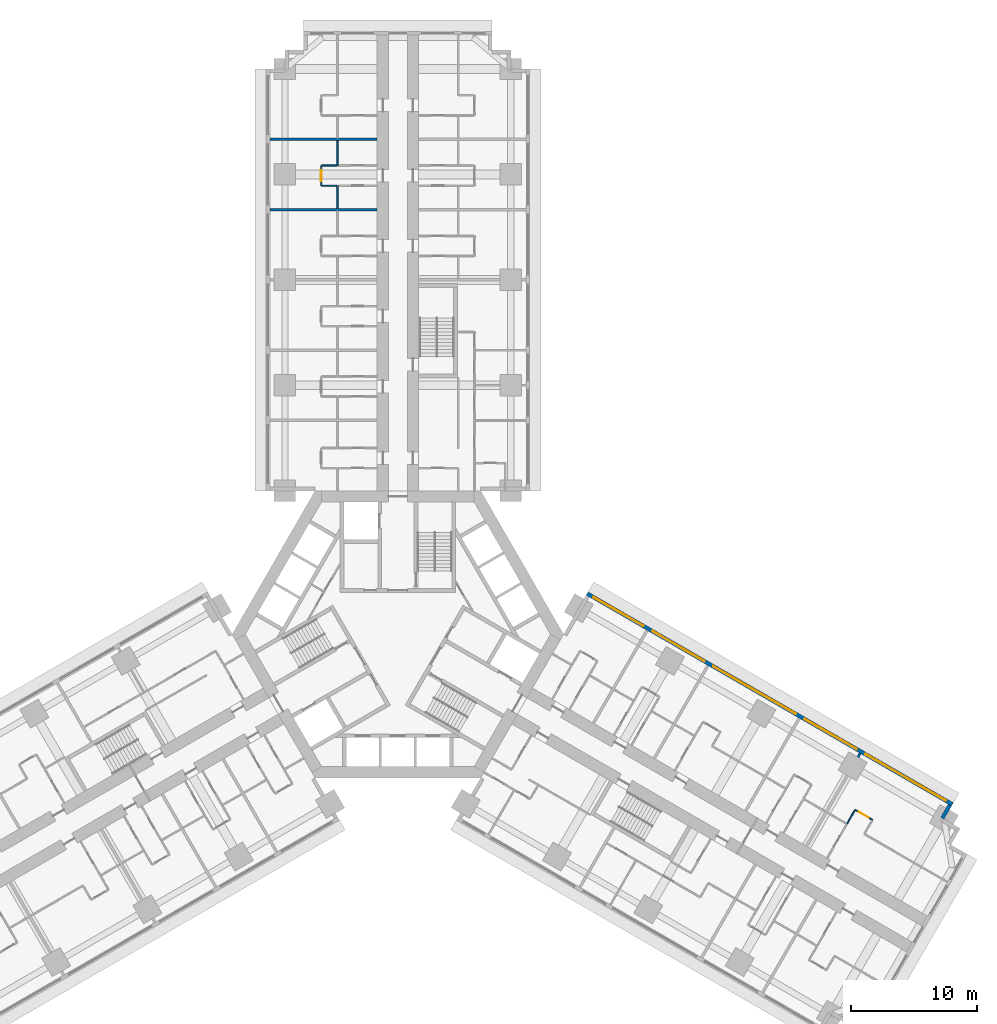
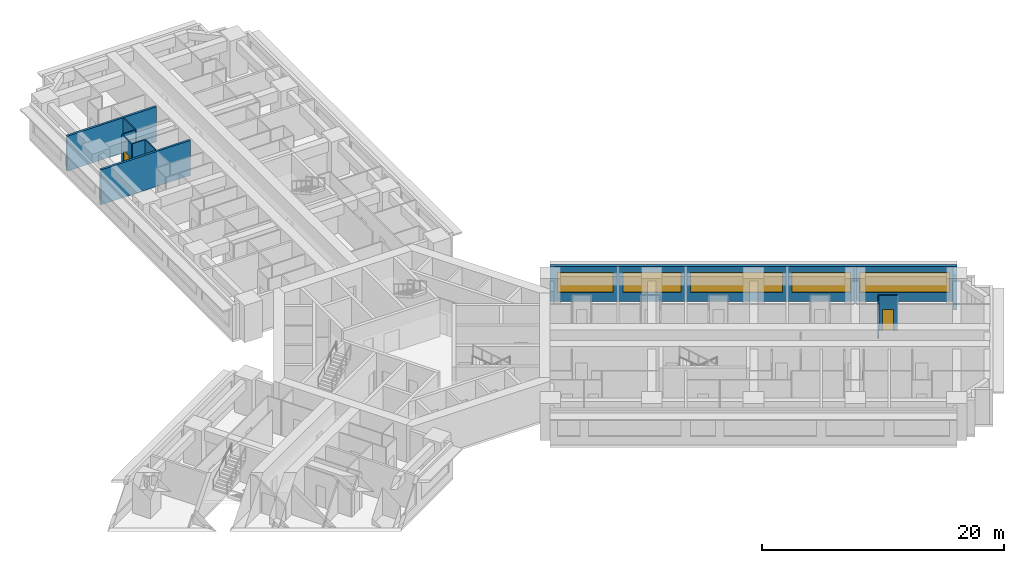
# One storey, part 14 of 17: 12 walls, 5 windows, 2 doors, 7 openings.
"""IFC4 building model written with IfcOpenShell, lengths in metres."""

from ifc_helpers import new_model, si_unit, direction, frame, frame_2d, origin, place, context, subcontext, project, spatial, rectangle, extrude, material, layer, layer_set, type_object, element, fill, save


model = new_model("IFC4")

# Units and contexts
model_context = context("Model", 3, precision=1e-05, world=origin(), true_north=direction((0.0, 1.0)))
body_context = subcontext(model_context, "Body", "Model", "MODEL_VIEW")
ifc_project = project(units=[si_unit("LENGTHUNIT", "METRE"), si_unit("AREAUNIT", "SQUARE_METRE"), si_unit("VOLUMEUNIT", "CUBIC_METRE"), si_unit("PLANEANGLEUNIT", "RADIAN"), si_unit("MASSUNIT", "GRAM", prefix="KILO")], contexts=[model_context])

# Site, building, storey
site_placement = place(None, origin())
site = spatial("IfcSite", under=ifc_project, at=site_placement, CompositionType="ELEMENT")
building_placement = place(site_placement, origin())
building = spatial("IfcBuilding", under=site, at=building_placement, Name="Impinga Residences", CompositionType="ELEMENT")
storey_placement = place(building_placement, frame((0.0, 0.0, 29.75)))
storey = spatial("IfcBuildingStorey", under=building, at=storey_placement, Name="L06", CompositionType="ELEMENT", Elevation=29.75)

# Wall, openings, windows
ifc_material_1 = material(Name="Terracotta rainscreen on blockwork", Category="masonry")
ifc_layer_1 = layer(ifc_material_1, 0.300048828125)
ifc_layer_set_1 = layer_set([ifc_layer_1], Name="EW1 external wall, terracotta rainscreen on blockwork 300")
wall_type_1 = type_object("IfcWallType", Name="EW1 external wall, terracotta rainscreen on blockwork 300", PredefinedType="SOLIDWALL", material=ifc_layer_set_1)
wall_1_placement = place(storey_placement, frame((15.074951171875, 3.24755859375, 0.0), z_axis=(0.0, 0.0, 1.0), x_axis=(0.866024291668, -0.500001926238, 0.0)))
wall_1 = element("IfcWall", 1, at=wall_1_placement, inside=storey, type_object=wall_type_1, Name="External wall EW1 L06", PredefinedType="SOLIDWALL", context=body_context, shape_type="SweptSolid", body=[
    extrude(rectangle(XDim=33.599853515625, YDim=0.300048828125, at=frame_2d((16.7998046875, 0.0))), origin(), (0.0, 0.0, 1.0), 3.530029296875),
])
opening_1_placement = place(wall_1_placement, frame((0.60009765625, 0.0, 0.89990234375)))
opening_1 = element("IfcOpeningElement", 2, at=opening_1_placement, cuts=wall_1, Name="Opening W3", PredefinedType="OPENING", context=body_context, shape_type="SweptSolid", body=[
    extrude(rectangle(XDim=4.60009765625, YDim=2.050048828125, at=frame_2d((2.300048828125, 1.02490234375))), frame((0.0, 0.159912109375, 0.0), z_axis=(0.0, -1.0, 0.0), x_axis=(1.0, 0.0, 0.0)), (0.0, 0.0, 1.0), 0.320068359375),
])
opening_2_placement = place(wall_1_placement, frame((6.0, 0.0, 0.89990234375)))
opening_2 = element("IfcOpeningElement", 3, at=opening_2_placement, cuts=wall_1, Name="Opening W8", PredefinedType="OPENING", context=body_context, shape_type="SweptSolid", body=[
    extrude(rectangle(XDim=4.800048828125, YDim=2.050048828125, at=frame_2d((2.39990234375, 1.02490234375))), frame((0.0, 0.159912109375, 0.0), z_axis=(0.0, -1.0, 0.0), x_axis=(1.0, 0.0, 0.0)), (0.0, 0.0, 1.0), 0.320068359375),
])
opening_3_placement = place(wall_1_placement, frame((11.60009765625, 0.0, 0.89990234375)))
opening_3 = element("IfcOpeningElement", 4, at=opening_3_placement, cuts=wall_1, Name="Opening W5", PredefinedType="OPENING", context=body_context, shape_type="SweptSolid", body=[
    extrude(rectangle(XDim=7.60009765625, YDim=2.050048828125, at=frame_2d((3.800048828125, 1.02490234375))), frame((0.0, 0.159912109375, 0.0), z_axis=(0.0, -1.0, 0.0), x_axis=(1.0, 0.0, 0.0)), (0.0, 0.0, 1.0), 0.320068359375),
])
opening_4_placement = place(wall_1_placement, frame((20.0, 0.0, 0.89990234375)))
opening_4 = element("IfcOpeningElement", 5, at=opening_4_placement, cuts=wall_1, Name="Opening W8", PredefinedType="OPENING", context=body_context, shape_type="SweptSolid", body=[
    extrude(rectangle(XDim=4.800048828125, YDim=2.050048828125, at=frame_2d((2.39990234375, 1.02490234375))), frame((0.0, 0.159912109375, 0.0), z_axis=(0.0, -1.0, 0.0), x_axis=(1.0, 0.0, 0.0)), (0.0, 0.0, 1.0), 0.320068359375),
])
opening_5_placement = place(wall_1_placement, frame((25.60009765625, 0.0, 0.89990234375)))
opening_5 = element("IfcOpeningElement", 6, at=opening_5_placement, cuts=wall_1, Name="Opening W12", PredefinedType="OPENING", context=body_context, shape_type="SweptSolid", body=[
    extrude(rectangle(XDim=7.39990234375, YDim=2.050048828125, at=frame_2d((3.699951171875, 1.02490234375))), frame((0.0, 0.159912109375, 0.0), z_axis=(0.0, -1.0, 0.0), x_axis=(1.0, 0.0, 0.0)), (0.0, 0.0, 1.0), 0.320068359375),
])
ifc_material_2 = material(Name="Aluminium window, clear double glazing", Category="aluminium")
window_type_1 = type_object("IfcWindowType", Name="W12 ribbon window 7400x2050", PartitioningType="SINGLE_PANEL", PredefinedType="WINDOW", material=ifc_material_2)
window_1_placement = place(opening_5_placement, origin())
window_1 = element("IfcWindow", 7, at=window_1_placement, inside=storey, type_object=window_type_1, Name="Window L06", OverallHeight=2.050048828125, OverallWidth=7.39990234375, PartitioningType="SINGLE_PANEL", PredefinedType="WINDOW", context=body_context, shape_type="SweptSolid", body=[
    extrude(rectangle(XDim=7.39990234375, YDim=2.050048828125, at=frame_2d((3.699951171875, 1.02490234375))), frame((0.0, 0.030029296875, 0.0), z_axis=(0.0, -1.0, 0.0), x_axis=(1.0, 0.0, 0.0)), (0.0, 0.0, 1.0), 0.06005859375),
])
fill(opening_5, window_1)
window_type_2 = type_object("IfcWindowType", Name="W3 ribbon window 4600x2050", PartitioningType="SINGLE_PANEL", PredefinedType="WINDOW", material=ifc_material_2)
window_2_placement = place(opening_1_placement, origin())
window_2 = element("IfcWindow", 8, at=window_2_placement, inside=storey, type_object=window_type_2, Name="Window L06", OverallHeight=2.050048828125, OverallWidth=4.60009765625, PartitioningType="SINGLE_PANEL", PredefinedType="WINDOW", context=body_context, shape_type="SweptSolid", body=[
    extrude(rectangle(XDim=4.60009765625, YDim=2.050048828125, at=frame_2d((2.300048828125, 1.02490234375))), frame((0.0, 0.030029296875, 0.0), z_axis=(0.0, -1.0, 0.0), x_axis=(1.0, 0.0, 0.0)), (0.0, 0.0, 1.0), 0.06005859375),
])
fill(opening_1, window_2)
window_type_3 = type_object("IfcWindowType", Name="W5 ribbon window 7600x2050", PartitioningType="SINGLE_PANEL", PredefinedType="WINDOW", material=ifc_material_2)
window_3_placement = place(opening_3_placement, origin())
window_3 = element("IfcWindow", 9, at=window_3_placement, inside=storey, type_object=window_type_3, Name="Window L06", OverallHeight=2.050048828125, OverallWidth=7.60009765625, PartitioningType="SINGLE_PANEL", PredefinedType="WINDOW", context=body_context, shape_type="SweptSolid", body=[
    extrude(rectangle(XDim=7.60009765625, YDim=2.050048828125, at=frame_2d((3.800048828125, 1.02490234375))), frame((0.0, 0.030029296875, 0.0), z_axis=(0.0, -1.0, 0.0), x_axis=(1.0, 0.0, 0.0)), (0.0, 0.0, 1.0), 0.06005859375),
])
fill(opening_3, window_3)
window_type_4 = type_object("IfcWindowType", Name="W8 ribbon window 4800x2050", PartitioningType="SINGLE_PANEL", PredefinedType="WINDOW", material=ifc_material_2)
window_4_placement = place(opening_2_placement, origin())
window_4 = element("IfcWindow", 10, at=window_4_placement, inside=storey, type_object=window_type_4, Name="Window L06", OverallHeight=2.050048828125, OverallWidth=4.800048828125, PartitioningType="SINGLE_PANEL", PredefinedType="WINDOW", context=body_context, shape_type="SweptSolid", body=[
    extrude(rectangle(XDim=4.800048828125, YDim=2.050048828125, at=frame_2d((2.39990234375, 1.02490234375))), frame((0.0, 0.030029296875, 0.0), z_axis=(0.0, -1.0, 0.0), x_axis=(1.0, 0.0, 0.0)), (0.0, 0.0, 1.0), 0.06005859375),
])
fill(opening_2, window_4)
window_5_placement = place(opening_4_placement, origin())
window_5 = element("IfcWindow", 11, at=window_5_placement, inside=storey, type_object=window_type_4, Name="Window L06", OverallHeight=2.050048828125, OverallWidth=4.800048828125, PartitioningType="SINGLE_PANEL", PredefinedType="WINDOW", context=body_context, shape_type="SweptSolid", body=[
    extrude(rectangle(XDim=4.800048828125, YDim=2.050048828125, at=frame_2d((2.39990234375, 1.02490234375))), frame((0.0, 0.030029296875, 0.0), z_axis=(0.0, -1.0, 0.0), x_axis=(1.0, 0.0, 0.0)), (0.0, 0.0, 1.0), 0.06005859375),
])
fill(opening_4, window_5)

# Walls
wall_2_placement = place(storey_placement, frame((43.968505859375, -13.607421875, 0.0), z_axis=(0.0, 0.0, 1.0), x_axis=(-0.500029051137, -0.866008630453, 0.0)))
element("IfcWall", 12, at=wall_2_placement, inside=storey, type_object=wall_type_1, Name="External wall EW1 L06", PredefinedType="SOLIDWALL", context=body_context, shape_type="SweptSolid", body=[
    extrude(rectangle(XDim=1.19482421875, YDim=0.300048828125, at=frame_2d((0.597412109375, 0.0))), origin(), (0.0, 0.0, 1.0), 3.530029296875),
])
ifc_material_3 = material(Name="Gypsum board on steel studs", Category="steel")
ifc_layer_2 = layer(ifc_material_3, 0.10009765625)
ifc_layer_set_2 = layer_set([ifc_layer_2], Name="Gypsum board on steel studs")
wall_type_2 = type_object("IfcWallType", Name="IP1 partition 100", PredefinedType="PARTITIONING", material=ifc_layer_set_2)
wall_3_placement = place(storey_placement, frame((-4.800048828125, 33.931640625, 0.0), z_axis=(0.0, 0.0, 1.0), x_axis=(0.0, 1.0, 0.0)))
element("IfcWall", 13, at=wall_3_placement, inside=storey, type_object=wall_type_2, Name="Partition L06-NA5:DIV0", PredefinedType="PARTITIONING", context=body_context, shape_type="SweptSolid", body=[
    extrude(rectangle(XDim=1.7998046875, YDim=0.10009765625, at=frame_2d((0.89990234375, 0.0))), origin(), (0.0, 0.0, 1.0), 3.530029296875),
])
wall_4_placement = place(storey_placement, frame((-4.800048828125, 37.33154296875, 0.0), z_axis=(0.0, 0.0, 1.0), x_axis=(0.0, 1.0, 0.0)))
element("IfcWall", 14, at=wall_4_placement, inside=storey, type_object=wall_type_2, Name="Partition L06-NA5:DIV1", PredefinedType="PARTITIONING", context=body_context, shape_type="SweptSolid", body=[
    extrude(rectangle(XDim=2.0, YDim=0.10009765625, at=frame_2d((1.0, 0.0))), origin(), (0.0, 0.0, 1.0), 3.530029296875),
])

# Wall, opening, door
wall_5_placement = place(storey_placement, frame((-6.10009765625, 35.7314453125, 0.0), z_axis=(0.0, 0.0, 1.0), x_axis=(0.0, 1.0, 0.0)))
wall_5 = element("IfcWall", 15, at=wall_5_placement, inside=storey, type_object=wall_type_2, Name="Partition L06-NA5:STRIP", PredefinedType="PARTITIONING", context=body_context, shape_type="SweptSolid", body=[
    extrude(rectangle(XDim=1.60009765625, YDim=0.10009765625, at=frame_2d((0.800048828125, 0.0))), origin(), (0.0, 0.0, 1.0), 3.530029296875),
])
opening_6_placement = place(wall_5_placement, frame((0.35009765625, 0.0, 0.0)))
opening_6 = element("IfcOpeningElement", 16, at=opening_6_placement, cuts=wall_5, Name="Opening D2", PredefinedType="OPENING", context=body_context, shape_type="SweptSolid", body=[
    extrude(rectangle(XDim=0.89990234375, YDim=2.10009765625, at=frame_2d((0.449951171875, 1.050048828125))), frame((0.0, 0.06005859375, 0.0), z_axis=(0.0, -1.0, 0.0), x_axis=(1.0, 0.0, 0.0)), (0.0, 0.0, 1.0), 0.1201171875),
])
ifc_material_4 = material(Name="Timber door set", Category="wood")
door_type = type_object("IfcDoorType", Name="D2 internal door 900x2100", OperationType="SINGLE_SWING_LEFT", PredefinedType="DOOR", material=ifc_material_4)
door_1_placement = place(opening_6_placement, origin())
door_1 = element("IfcDoor", 17, at=door_1_placement, inside=storey, type_object=door_type, Name="Apartment L06-NA5 room door", OperationType="SINGLE_SWING_LEFT", OverallHeight=2.10009765625, OverallWidth=0.89990234375, PredefinedType="DOOR", context=body_context, shape_type="SweptSolid", body=[
    extrude(rectangle(XDim=0.89990234375, YDim=2.10009765625, at=frame_2d((0.449951171875, 1.050048828125))), frame((0.0, 0.02490234375, 0.0), z_axis=(0.0, -1.0, 0.0), x_axis=(1.0, 0.0, 0.0)), (0.0, 0.0, 1.0), 0.050048828125),
])
fill(opening_6, door_1)

# Walls
for number, where, z_axis, x_axis, name in (
    (18, (-4.85009765625, 35.7314453125, 0.0), (0.0, 0.0, 1.0), (-1.0, 0.0, 0.0), "Partition L06-NA5:SE0"),
    (19, (-4.85009765625, 37.33154296875, 0.0), (0.0, 0.0, 1.0), (-1.0, 0.0, 0.0), "Partition L06-NA5:SE1"),
):
    element("IfcWall", number, at=place(storey_placement, frame(where, z_axis=z_axis, x_axis=x_axis)), inside=storey, type_object=wall_type_2, Name=name, PredefinedType="PARTITIONING", context=body_context, shape_type="SweptSolid", body=[
        extrude(rectangle(XDim=1.199951171875, YDim=0.10009765625, at=frame_2d((0.60009765625, 0.0))), origin(), (0.0, 0.0, 1.0), 3.530029296875),
    ])

# Wall, opening, door
wall_6_placement = place(storey_placement, frame((36.419189453125, -13.98291015625, 0.0), z_axis=(0.0, 0.0, 1.0), x_axis=(0.866028054938, -0.499995408039, 0.0)))
wall_6 = element("IfcWall", 20, at=wall_6_placement, inside=storey, type_object=wall_type_2, Name="Partition L06-EA5:STRIP", PredefinedType="PARTITIONING", context=body_context, shape_type="SweptSolid", body=[
    extrude(rectangle(XDim=1.60009765625, YDim=0.10009765625, at=frame_2d((0.800048828125, 0.0))), origin(), (0.0, 0.0, 1.0), 3.530029296875),
])
opening_7_placement = place(wall_6_placement, frame((0.35009765625, 0.0, 0.0)))
opening_7 = element("IfcOpeningElement", 21, at=opening_7_placement, cuts=wall_6, Name="Opening D2", PredefinedType="OPENING", context=body_context, shape_type="SweptSolid", body=[
    extrude(rectangle(XDim=0.89990234375, YDim=2.10009765625, at=frame_2d((0.449951171875, 1.050048828125))), frame((0.0, 0.06005859375, 0.0), z_axis=(0.0, -1.0, 0.0), x_axis=(1.0, 0.0, 0.0)), (0.0, 0.0, 1.0), 0.1201171875),
])
door_2_placement = place(opening_7_placement, origin())
door_2 = element("IfcDoor", 22, at=door_2_placement, inside=storey, type_object=door_type, Name="Apartment L06-EA5 room door", OperationType="SINGLE_SWING_LEFT", OverallHeight=2.10009765625, OverallWidth=0.89990234375, PredefinedType="DOOR", context=body_context, shape_type="SweptSolid", body=[
    extrude(rectangle(XDim=0.89990234375, YDim=2.10009765625, at=frame_2d((0.449951171875, 1.050048828125))), frame((0.0, 0.02490234375, 0.0), z_axis=(0.0, -1.0, 0.0), x_axis=(1.0, 0.0, 0.0)), (0.0, 0.0, 1.0), 0.050048828125),
])
fill(opening_7, door_2)

# Walls
wall_7_placement = place(storey_placement, frame((35.794189453125, -15.0654296875, 0.0), z_axis=(0.0, 0.0, 1.0), x_axis=(0.50012165622, 0.865955154139, 0.0)))
element("IfcWall", 23, at=wall_7_placement, inside=storey, type_object=wall_type_2, Name="Partition L06-EA5:SE0", PredefinedType="PARTITIONING", context=body_context, shape_type="SweptSolid", body=[
    extrude(rectangle(XDim=1.199951171875, YDim=0.10009765625, at=frame_2d((0.60009765625, 0.0))), origin(), (0.0, 0.0, 1.0), 3.530029296875),
])
ifc_material_5 = material(Name="Concrete blockwork", Category="masonry")
ifc_layer_3 = layer(ifc_material_5, 0.199951171875)
ifc_layer_set_3 = layer_set([ifc_layer_3], Name="PW1 party wall between apartments 200")
wall_type_3 = type_object("IfcWallType", Name="PW1 party wall between apartments 200", PredefinedType="SOLIDWALL", material=ifc_layer_set_3)
for number, where, z_axis, x_axis, name in (
    (24, (-1.64990234375, 33.83154296875, 0.0), (0.0, 0.0, 1.0), (-1.0, 0.0, 0.0), "Party wall between apartments L06-NA4:PARTY"),
    (25, (-1.64990234375, 39.431640625, 0.0), (0.0, 0.0, 1.0), (-1.0, 0.0, 0.0), "Party wall between apartments L06-NA5:PARTY"),
):
    element("IfcWall", number, at=place(storey_placement, frame(where, z_axis=z_axis, x_axis=x_axis)), inside=storey, type_object=wall_type_3, Name=name, PredefinedType="SOLIDWALL", context=body_context, shape_type="SweptSolid", body=[
        extrude(rectangle(XDim=8.550048828125, YDim=0.199951171875, at=frame_2d((4.27490234375, 0.0))), origin(), (0.0, 0.0, 1.0), 3.530029296875),
    ])
wall_8_placement = place(storey_placement, frame((36.64892578125, -9.785400390625, 0.0), z_axis=(0.0, 0.0, 1.0), x_axis=(0.499742594395, 0.866173965983, 0.0)))
element("IfcWall", 26, at=wall_8_placement, inside=storey, type_object=wall_type_3, Name="Party wall between apartments L06-EA4:PARTYb", PredefinedType="SOLIDWALL", context=body_context, shape_type="SweptSolid", body=[
    extrude(rectangle(XDim=0.349853515625, YDim=0.199951171875, at=frame_2d((0.1748046875, 0.0))), origin(), (0.0, 0.0, 1.0), 3.530029296875),
])

save(model, "model.ifc")
